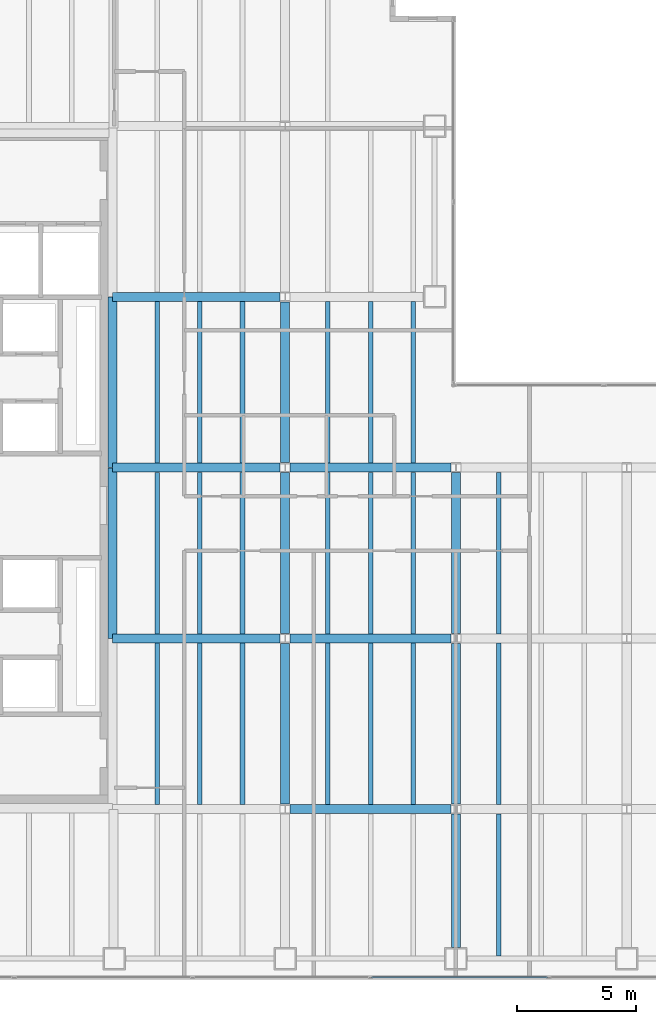
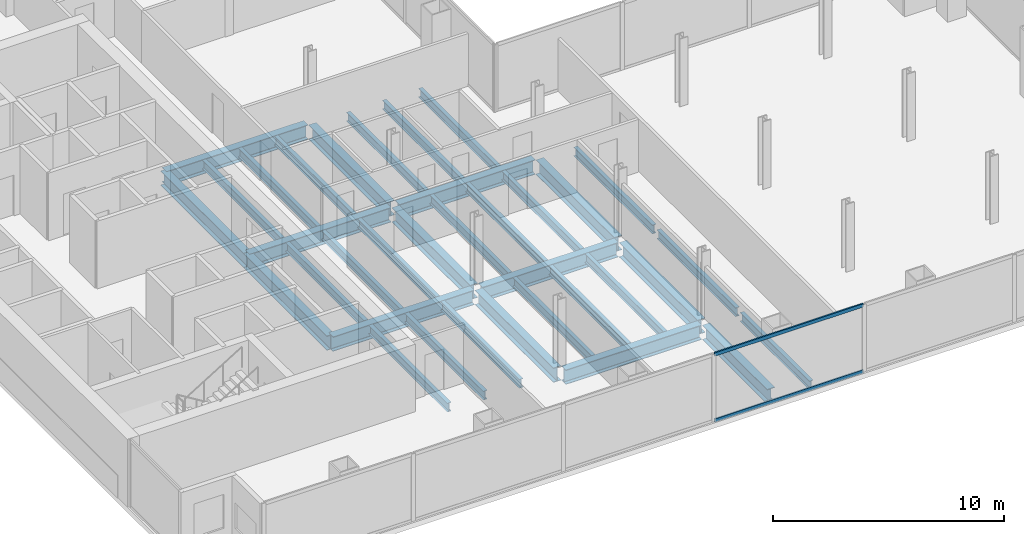
# One storey, part 5 of 23: 35 beams, 2 members, 1 element without a shape of its own.
"""IFC4 building model written with IfcOpenShell, lengths in metres."""

from ifc_helpers import new_model, si_unit, direction, frame, origin, origin_2d, place, context, subcontext, project, spatial, hollow_rectangle, i_section, extrude, material, material_profile, profile_set, type_object, element, aggregate, save


model = new_model("IFC4")

# Units and contexts
model_context = context("Model", 3, precision=1e-05, world=origin(), true_north=direction((0.0, 1.0)))
body_context = subcontext(model_context, "Body", "Model", "MODEL_VIEW")
ifc_project = project(units=[si_unit("LENGTHUNIT", "METRE"), si_unit("AREAUNIT", "SQUARE_METRE"), si_unit("VOLUMEUNIT", "CUBIC_METRE"), si_unit("PLANEANGLEUNIT", "RADIAN"), si_unit("MASSUNIT", "GRAM", prefix="KILO")], contexts=[model_context])

# Site, building, storey
site_placement = place(None, origin())
site = spatial("IfcSite", under=ifc_project, at=site_placement, CompositionType="ELEMENT")
building_placement = place(site_placement, origin())
building = spatial("IfcBuilding", under=site, at=building_placement, Name="Cobrela Telecom Tower", CompositionType="ELEMENT")
storey_placement = place(building_placement, frame((0.0, 0.0, 81.199951171875)))
storey = spatial("IfcBuildingStorey", under=building, at=storey_placement, Name="L20", CompositionType="ELEMENT", Elevation=81.199951171875)

# Beams
ifc_material_1 = material(Name="Steel ASTM A992 Grade 50", Category="steel")
ifc_material_profile_1 = material_profile(ifc_material_1, i_section(OverallWidth=0.381103515625, OverallDepth=0.77197265625, WebThickness=0.0166015625, FlangeThickness=0.027099609375, FilletRadius=0.01904296875, at=origin_2d()), Name="W30X173")
ifc_profile_set_1 = profile_set([ifc_material_profile_1], Name="Steel ASTM A992 Grade 50")
beam_type_1 = type_object("IfcBeamType", Name="BM-GIRD-04", PredefinedType="USERDEFINED", material=ifc_profile_set_1)
beam_1_placement = place(storey_placement, frame((21.8095703125, 7.199951171875, -0.666015625), z_axis=(1.0, 0.0, 0.0), x_axis=(0.0, 1.0, 0.0)))
element("IfcBeam", 1, at=beam_1_placement, inside=storey, type_object=beam_type_1, Name="L20 Primary Girder X09", ObjectType="GIRDER", PredefinedType="USERDEFINED", context=body_context, shape_type="SweptSolid", body=[
    extrude(i_section(OverallWidth=0.381103515625, OverallDepth=0.77197265625, WebThickness=0.0166015625, FlangeThickness=0.027099609375, FilletRadius=0.01904296875, at=origin_2d()), origin(), (0.0, 0.0, 1.0), 6.781005859375),
])
beam_2_placement = place(storey_placement, frame((14.324951171875, 14.39990234375, -0.666015625), z_axis=(1.0, 0.0, 0.0), x_axis=(0.0, 1.0, 0.0)))
element("IfcBeam", 2, at=beam_2_placement, inside=storey, type_object=beam_type_1, Name="L20 Primary Girder X13", ObjectType="GIRDER", PredefinedType="USERDEFINED", context=body_context, shape_type="SweptSolid", body=[
    extrude(i_section(OverallWidth=0.381103515625, OverallDepth=0.77197265625, WebThickness=0.0166015625, FlangeThickness=0.027099609375, FilletRadius=0.01904296875, at=origin_2d()), origin(), (0.0, 0.0, 1.0), 7.0654296875),
])
beam_3_placement = place(storey_placement, frame((21.8095703125, 14.39990234375, -0.666015625), z_axis=(1.0, 0.0, 0.0), x_axis=(0.0, 1.0, 0.0)))
element("IfcBeam", 3, at=beam_3_placement, inside=storey, type_object=beam_type_1, Name="L20 Primary Girder X14", ObjectType="GIRDER", PredefinedType="USERDEFINED", context=body_context, shape_type="SweptSolid", body=[
    extrude(i_section(OverallWidth=0.381103515625, OverallDepth=0.77197265625, WebThickness=0.0166015625, FlangeThickness=0.027099609375, FilletRadius=0.01904296875, at=origin_2d()), origin(), (0.0, 0.0, 1.0), 6.781005859375),
])
beam_4_placement = place(storey_placement, frame((14.324951171875, 21.60009765625, -0.666015625), z_axis=(1.0, 0.0, 0.0), x_axis=(0.0, 1.0, 0.0)))
element("IfcBeam", 4, at=beam_4_placement, inside=storey, type_object=beam_type_1, Name="L20 Primary Girder X18", ObjectType="GIRDER", PredefinedType="USERDEFINED", context=body_context, shape_type="SweptSolid", body=[
    extrude(i_section(OverallWidth=0.381103515625, OverallDepth=0.77197265625, WebThickness=0.0166015625, FlangeThickness=0.027099609375, FilletRadius=0.01904296875, at=origin_2d()), origin(), (0.0, 0.0, 1.0), 7.0654296875),
])
beam_5_placement = place(storey_placement, frame((21.8095703125, 21.60009765625, -0.666015625), z_axis=(1.0, 0.0, 0.0), x_axis=(0.0, 1.0, 0.0)))
element("IfcBeam", 5, at=beam_5_placement, inside=storey, type_object=beam_type_1, Name="L20 Primary Girder X19", ObjectType="GIRDER", PredefinedType="USERDEFINED", context=body_context, shape_type="SweptSolid", body=[
    extrude(i_section(OverallWidth=0.381103515625, OverallDepth=0.77197265625, WebThickness=0.0166015625, FlangeThickness=0.027099609375, FilletRadius=0.01904296875, at=origin_2d()), origin(), (0.0, 0.0, 1.0), 6.781005859375),
])
beam_6_placement = place(storey_placement, frame((14.324951171875, 28.800048828125, -0.666015625), z_axis=(1.0, 0.0, 0.0), x_axis=(0.0, 1.0, 0.0)))
element("IfcBeam", 6, at=beam_6_placement, inside=storey, type_object=beam_type_1, Name="L20 Primary Girder X23", ObjectType="GIRDER", PredefinedType="USERDEFINED", context=body_context, shape_type="SweptSolid", body=[
    extrude(i_section(OverallWidth=0.381103515625, OverallDepth=0.77197265625, WebThickness=0.0166015625, FlangeThickness=0.027099609375, FilletRadius=0.01904296875, at=origin_2d()), origin(), (0.0, 0.0, 1.0), 7.0654296875),
])
for number, where, z_axis, x_axis, name in (
    (7, (14.320068359375, 14.405029296875, -0.666015625), (0.0, 1.0, 0.0), (-1.0, 0.0, 0.0), "L20 Primary Girder Y36"),
    (8, (14.320068359375, 21.60498046875, -0.666015625), (0.0, 1.0, 0.0), (-1.0, 0.0, 0.0), "L20 Primary Girder Y37"),
):
    element("IfcBeam", number, at=place(storey_placement, frame(where, z_axis=z_axis, x_axis=x_axis)), inside=storey, type_object=beam_type_1, Name=name, ObjectType="GIRDER", PredefinedType="USERDEFINED", context=body_context, shape_type="SweptSolid", body=[
        extrude(i_section(OverallWidth=0.381103515625, OverallDepth=0.77197265625, WebThickness=0.0166015625, FlangeThickness=0.027099609375, FilletRadius=0.01904296875, at=origin_2d()), origin(), (0.0, 0.0, 1.0), 7.18994140625),
    ])
beam_7_placement = place(storey_placement, frame((21.60009765625, 7.409423828125, -0.666015625), z_axis=(0.0, 1.0, 0.0), x_axis=(-1.0, 0.0, 0.0)))
element("IfcBeam", 9, at=beam_7_placement, inside=storey, type_object=beam_type_1, Name="L20 Primary Girder Y41", ObjectType="GIRDER", PredefinedType="USERDEFINED", context=body_context, shape_type="SweptSolid", body=[
    extrude(i_section(OverallWidth=0.381103515625, OverallDepth=0.77197265625, WebThickness=0.0166015625, FlangeThickness=0.027099609375, FilletRadius=0.01904296875, at=origin_2d()), origin(), (0.0, 0.0, 1.0), 6.781005859375),
])
beam_8_placement = place(storey_placement, frame((21.60009765625, 14.609619140625, -0.666015625), z_axis=(0.0, 1.0, 0.0), x_axis=(-1.0, 0.0, 0.0)))
element("IfcBeam", 10, at=beam_8_placement, inside=storey, type_object=beam_type_1, Name="L20 Primary Girder Y42", ObjectType="GIRDER", PredefinedType="USERDEFINED", context=body_context, shape_type="SweptSolid", body=[
    extrude(i_section(OverallWidth=0.381103515625, OverallDepth=0.77197265625, WebThickness=0.0166015625, FlangeThickness=0.027099609375, FilletRadius=0.01904296875, at=origin_2d()), origin(), (0.0, 0.0, 1.0), 6.78076171875),
])
beam_9_placement = place(storey_placement, frame((21.60009765625, 21.8095703125, -0.666015625), z_axis=(0.0, 1.0, 0.0), x_axis=(-1.0, 0.0, 0.0)))
element("IfcBeam", 11, at=beam_9_placement, inside=storey, type_object=beam_type_1, Name="L20 Primary Girder Y43", ObjectType="GIRDER", PredefinedType="USERDEFINED", context=body_context, shape_type="SweptSolid", body=[
    extrude(i_section(OverallWidth=0.381103515625, OverallDepth=0.77197265625, WebThickness=0.0166015625, FlangeThickness=0.027099609375, FilletRadius=0.01904296875, at=origin_2d()), origin(), (0.0, 0.0, 1.0), 6.781005859375),
])
beam_10_placement = place(storey_placement, frame((28.800048828125, 1.3798828125, -0.666015625), z_axis=(0.0, 1.0, 0.0), x_axis=(-1.0, 0.0, 0.0)))
element("IfcBeam", 12, at=beam_10_placement, inside=storey, type_object=beam_type_1, Name="L20 Primary Girder Y47", ObjectType="GIRDER", PredefinedType="USERDEFINED", context=body_context, shape_type="SweptSolid", body=[
    extrude(i_section(OverallWidth=0.381103515625, OverallDepth=0.77197265625, WebThickness=0.0166015625, FlangeThickness=0.027099609375, FilletRadius=0.01904296875, at=origin_2d()), origin(), (0.0, 0.0, 1.0), 5.610595703125),
])
beam_11_placement = place(storey_placement, frame((28.800048828125, 7.409423828125, -0.666015625), z_axis=(0.0, 1.0, 0.0), x_axis=(-1.0, 0.0, 0.0)))
element("IfcBeam", 13, at=beam_11_placement, inside=storey, type_object=beam_type_1, Name="L20 Primary Girder Y48", ObjectType="GIRDER", PredefinedType="USERDEFINED", context=body_context, shape_type="SweptSolid", body=[
    extrude(i_section(OverallWidth=0.381103515625, OverallDepth=0.77197265625, WebThickness=0.0166015625, FlangeThickness=0.027099609375, FilletRadius=0.01904296875, at=origin_2d()), origin(), (0.0, 0.0, 1.0), 6.781005859375),
])
beam_12_placement = place(storey_placement, frame((28.800048828125, 14.609619140625, -0.666015625), z_axis=(0.0, 1.0, 0.0), x_axis=(-1.0, 0.0, 0.0)))
element("IfcBeam", 14, at=beam_12_placement, inside=storey, type_object=beam_type_1, Name="L20 Primary Girder Y49", ObjectType="GIRDER", PredefinedType="USERDEFINED", context=body_context, shape_type="SweptSolid", body=[
    extrude(i_section(OverallWidth=0.381103515625, OverallDepth=0.77197265625, WebThickness=0.0166015625, FlangeThickness=0.027099609375, FilletRadius=0.01904296875, at=origin_2d()), origin(), (0.0, 0.0, 1.0), 6.78076171875),
])
ifc_material_profile_2 = material_profile(ifc_material_1, i_section(OverallWidth=0.193115234375, OverallDepth=0.467041015625, WebThickness=0.011474609375, FlangeThickness=0.01904296875, FilletRadius=0.012939453125, at=origin_2d()), Name="W18X65")
ifc_profile_set_2 = profile_set([ifc_material_profile_2], Name="Steel ASTM A992 Grade 50")
beam_type_2 = type_object("IfcBeamType", Name="BM-JOIST-03", PredefinedType="JOIST", material=ifc_profile_set_2)
for number, where, z_axis, x_axis, name in (
    (15, (16.199951171875, 7.3955078125, -0.513427734375), (0.0, 1.0, 0.0), (-1.0, 0.0, 0.0), "L20 Secondary Composite Floor Beam J08"),
    (16, (16.199951171875, 14.595458984375, -0.513427734375), (0.0, 1.0, 0.0), (-1.0, 0.0, 0.0), "L20 Secondary Composite Floor Beam J09"),
    (17, (16.199951171875, 21.79541015625, -0.513427734375), (0.0, 1.0, 0.0), (-1.0, 0.0, 0.0), "L20 Secondary Composite Floor Beam J10"),
    (18, (18.0, 7.3955078125, -0.513427734375), (0.0, 1.0, 0.0), (-1.0, 0.0, 0.0), "L20 Secondary Composite Floor Beam J14"),
    (19, (18.0, 14.595458984375, -0.513427734375), (0.0, 1.0, 0.0), (-1.0, 0.0, 0.0), "L20 Secondary Composite Floor Beam J15"),
    (20, (18.0, 21.79541015625, -0.513427734375), (0.0, 1.0, 0.0), (-1.0, 0.0, 0.0), "L20 Secondary Composite Floor Beam J16"),
    (21, (19.800048828125, 7.3955078125, -0.513427734375), (0.0, 1.0, 0.0), (-1.0, 0.0, 0.0), "L20 Secondary Composite Floor Beam J20"),
    (22, (19.800048828125, 14.595458984375, -0.513427734375), (0.0, 1.0, 0.0), (-1.0, 0.0, 0.0), "L20 Secondary Composite Floor Beam J21"),
    (23, (19.800048828125, 21.79541015625, -0.513427734375), (0.0, 1.0, 0.0), (-1.0, 0.0, 0.0), "L20 Secondary Composite Floor Beam J22"),
    (24, (23.39990234375, 7.3955078125, -0.513427734375), (0.0, 1.0, 0.0), (-1.0, 0.0, 0.0), "L20 Secondary Composite Floor Beam J26"),
    (25, (23.39990234375, 14.595458984375, -0.513427734375), (0.0, 1.0, 0.0), (-1.0, 0.0, 0.0), "L20 Secondary Composite Floor Beam J27"),
    (26, (23.39990234375, 21.79541015625, -0.513427734375), (0.0, 1.0, 0.0), (-1.0, 0.0, 0.0), "L20 Secondary Composite Floor Beam J28"),
    (27, (25.199951171875, 7.3955078125, -0.513427734375), (0.0, 1.0, 0.0), (-1.0, 0.0, 0.0), "L20 Secondary Composite Floor Beam J32"),
    (28, (25.199951171875, 14.595458984375, -0.513427734375), (0.0, 1.0, 0.0), (-1.0, 0.0, 0.0), "L20 Secondary Composite Floor Beam J33"),
    (29, (25.199951171875, 21.79541015625, -0.513427734375), (0.0, 1.0, 0.0), (-1.0, 0.0, 0.0), "L20 Secondary Composite Floor Beam J34"),
    (30, (27.0, 7.3955078125, -0.513427734375), (0.0, 1.0, 0.0), (-1.0, 0.0, 0.0), "L20 Secondary Composite Floor Beam J37"),
    (31, (27.0, 14.595458984375, -0.513427734375), (0.0, 1.0, 0.0), (-1.0, 0.0, 0.0), "L20 Secondary Composite Floor Beam J38"),
    (32, (27.0, 21.79541015625, -0.513427734375), (0.0, 1.0, 0.0), (-1.0, 0.0, 0.0), "L20 Secondary Composite Floor Beam J39"),
):
    element("IfcBeam", number, at=place(storey_placement, frame(where, z_axis=z_axis, x_axis=x_axis)), inside=storey, type_object=beam_type_2, Name=name, PredefinedType="JOIST", context=body_context, shape_type="SweptSolid", body=[
        extrude(i_section(OverallWidth=0.193115234375, OverallDepth=0.467041015625, WebThickness=0.011474609375, FlangeThickness=0.01904296875, FilletRadius=0.012939453125, at=origin_2d()), origin(), (0.0, 0.0, 1.0), 6.80908203125),
    ])
beam_13_placement = place(storey_placement, frame((30.60009765625, 1.011474609375, -0.513427734375), z_axis=(0.0, 1.0, 0.0), x_axis=(-1.0, 0.0, 0.0)))
element("IfcBeam", 33, at=beam_13_placement, inside=storey, type_object=beam_type_2, Name="L20 Secondary Composite Floor Beam J41", PredefinedType="JOIST", context=body_context, shape_type="SweptSolid", body=[
    extrude(i_section(OverallWidth=0.193115234375, OverallDepth=0.467041015625, WebThickness=0.011474609375, FlangeThickness=0.01904296875, FilletRadius=0.012939453125, at=origin_2d()), origin(), (0.0, 0.0, 1.0), 5.992919921875),
])
for number, where, z_axis, x_axis, name in (
    (34, (30.60009765625, 7.3955078125, -0.513427734375), (0.0, 1.0, 0.0), (-1.0, 0.0, 0.0), "L20 Secondary Composite Floor Beam J42"),
    (35, (30.60009765625, 14.595458984375, -0.513427734375), (0.0, 1.0, 0.0), (-1.0, 0.0, 0.0), "L20 Secondary Composite Floor Beam J43"),
):
    element("IfcBeam", number, at=place(storey_placement, frame(where, z_axis=z_axis, x_axis=x_axis)), inside=storey, type_object=beam_type_2, Name=name, PredefinedType="JOIST", context=body_context, shape_type="SweptSolid", body=[
        extrude(i_section(OverallWidth=0.193115234375, OverallDepth=0.467041015625, WebThickness=0.011474609375, FlangeThickness=0.01904296875, FilletRadius=0.012939453125, at=origin_2d()), origin(), (0.0, 0.0, 1.0), 6.80908203125),
    ])

# Curtain wall, members
ifc_material_2 = material(Name="Anodized Bronze Aluminium 6063-T6", Category="aluminium")
curtain_wall_type = type_object("IfcCurtainWallType", Name="CW-SYS-DATA", PredefinedType="USERDEFINED", material=ifc_material_2)
curtain_wall_placement = place(storey_placement, origin())
curtain_wall = element("IfcCurtainWall", 36, at=curtain_wall_placement, inside=storey, type_object=curtain_wall_type, Name="L20 Unitised Bronze Curtain Wall 17", ObjectType="UNITISED CURTAIN WALL", PredefinedType="USERDEFINED")
ifc_material_profile_3 = material_profile(ifc_material_2, hollow_rectangle(XDim=0.074951171875, YDim=0.179931640625, WallThickness=0.00390625, at=origin_2d()), Name="ALU 75x180x4")
ifc_profile_set_3 = profile_set([ifc_material_profile_3], Name="Anodized Bronze Aluminium 6063-T6")
member_type = type_object("IfcMemberType", Name="CW-SYS-DATA-TRN", PredefinedType="USERDEFINED", material=ifc_profile_set_3)
member_1_placement = place(storey_placement, frame((32.669921875, 0.1201171875, 0.03759765625), z_axis=(-1.0, 0.0, 0.0), x_axis=(0.0, -1.0, 0.0)))
member_1 = element("IfcMember", 37, at=member_1_placement, type_object=member_type, Name="CW-DATA transom 3.1", ObjectType="TRANSOM", PredefinedType="USERDEFINED", context=body_context, shape_type="SweptSolid", body=[
    extrude(hollow_rectangle(XDim=0.074951171875, YDim=0.179931640625, WallThickness=0.00390625, at=origin_2d()), origin(), (0.0, 0.0, 1.0), 7.429931640625),
])
member_2_placement = place(storey_placement, frame((32.669921875, 0.1201171875, 3.532470703125), z_axis=(-1.0, 0.0, 0.0), x_axis=(0.0, -1.0, 0.0)))
member_2 = element("IfcMember", 38, at=member_2_placement, type_object=member_type, Name="CW-DATA transom 3.2", ObjectType="TRANSOM", PredefinedType="USERDEFINED", context=body_context, shape_type="SweptSolid", body=[
    extrude(hollow_rectangle(XDim=0.074951171875, YDim=0.179931640625, WallThickness=0.00390625, at=origin_2d()), origin(), (0.0, 0.0, 1.0), 7.429931640625),
])
aggregate(curtain_wall, [member_1, member_2])

save(model, "model.ifc")
